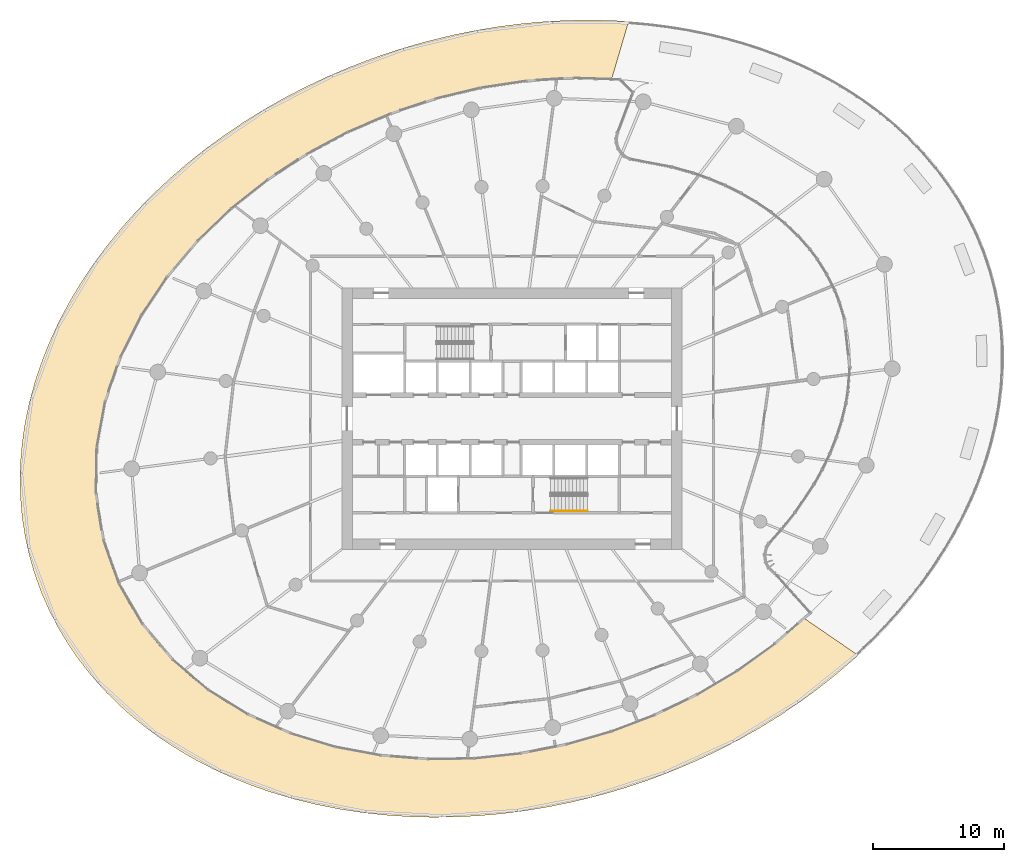
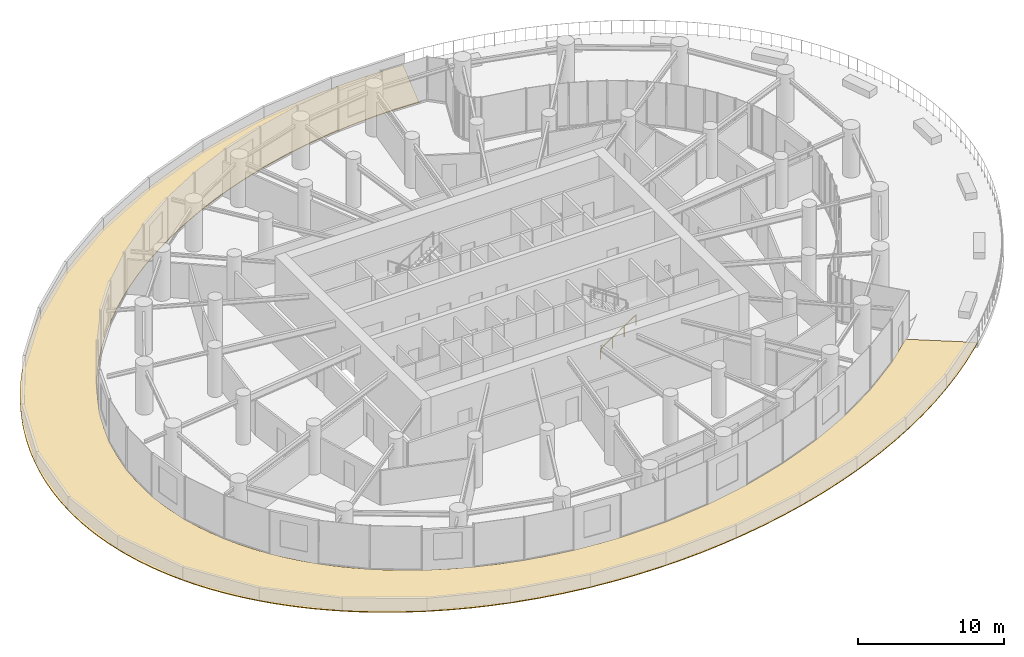
# One storey, part 20 of 24: 1 covering, 1 railing.
"""IFC4 building model written with IfcOpenShell, lengths in metres."""

from ifc_helpers import new_model, si_unit, direction, frame, origin, origin_2d, place, context, subcontext, project, spatial, line, indexed_curve, circle, outline, extrude, material, layer, layer_set, type_object, element, save


model = new_model("IFC4")

# Units and contexts
model_context = context("Model", 3, precision=1e-05, world=origin(), true_north=direction((0.0, 1.0)))
body_context = subcontext(model_context, "Body", "Model", "MODEL_VIEW")
ifc_project = project(units=[si_unit("LENGTHUNIT", "METRE"), si_unit("AREAUNIT", "SQUARE_METRE"), si_unit("VOLUMEUNIT", "CUBIC_METRE"), si_unit("PLANEANGLEUNIT", "RADIAN"), si_unit("MASSUNIT", "GRAM", prefix="KILO")], contexts=[model_context])

# Site, building, storey
site_placement = place(None, origin())
site = spatial("IfcSite", under=ifc_project, at=site_placement, CompositionType="ELEMENT")
building_placement = place(site_placement, origin())
building = spatial("IfcBuilding", under=site, at=building_placement, Name="Spindrift Exchange Tower", CompositionType="ELEMENT")
storey_placement = place(building_placement, frame((0.0, 0.0, 79.800048828125)))
storey = spatial("IfcBuildingStorey", under=building, at=storey_placement, Name="L18", CompositionType="ELEMENT", Elevation=79.800048828125)

# Covering
ifc_material_1 = material(Name="Bituminous roofing membrane with gravel ballast")
ifc_layer = layer(ifc_material_1, 0.06005859375)
ifc_layer_set = layer_set([ifc_layer], Name="LEDGE ROOFING 60")
covering_type = type_object("IfcCoveringType", Name="LEDGE ROOFING 60", PredefinedType="ROOFING", material=ifc_layer_set)
covering_placement = place(storey_placement, origin())
element("IfcCovering", 1, at=covering_placement, inside=storey, type_object=covering_type, Name="L18 Ledge Roofing 1", PredefinedType="ROOFING", context=body_context, shape_type="SweptSolid", body=[
    extrude(outline(indexed_curve([(78.0732421875, 29.583984375), (76.720703125, 28.4208984375), (75.3212890625, 27.3154296875), (73.87890625, 26.265625), (72.396484375, 25.2724609375), (70.8779296875, 24.3369140625), (69.3251953125, 23.4599609375), (67.740234375, 22.6396484375), (66.1279296875, 21.87890625), (64.4873046875, 21.1767578125), (63.380859375, 20.7412109375), (62.2646484375, 20.3330078125), (60.5712890625, 19.7705078125), (59.431640625, 19.4287109375), (58.28515625, 19.115234375), (56.5517578125, 18.6953125), (54.802734375, 18.3388671875), (53.0439453125, 18.046875), (51.2744140625, 17.8193359375), (49.498046875, 17.658203125), (47.716796875, 17.564453125), (45.93359375, 17.5400390625), (44.1494140625, 17.5859375), (42.3701171875, 17.7041015625), (40.5966796875, 17.8955078125), (38.833984375, 18.1630859375), (37.0830078125, 18.5087890625), (35.3515625, 18.93359375), (33.6416015625, 19.4404296875), (32.5146484375, 19.82421875), (31.404296875, 20.24609375), (30.8525390625, 20.4716796875), (29.765625, 20.951171875), (29.2275390625, 21.205078125), (28.1669921875, 21.7431640625), (27.64453125, 22.02734375), (26.6171875, 22.625), (25.61328125, 23.2626953125), (25.12109375, 23.5966796875), (24.1572265625, 24.294921875), (23.2255859375, 25.0322265625), (22.7724609375, 25.416015625), (21.8896484375, 26.21484375), (21.044921875, 27.05078125), (20.63671875, 27.4833984375), (19.8525390625, 28.3779296875), (19.4765625, 28.8388671875), (18.759765625, 29.7861328125), (18.0888671875, 30.76953125), (17.4697265625, 31.783203125), (17.1796875, 32.3017578125), (16.638671875, 33.36328125), (16.1552734375, 34.447265625), (15.9345703125, 35.0), (15.5361328125, 36.12109375), (15.197265625, 37.26171875), (15.05078125, 37.837890625), (14.802734375, 38.9990234375), (14.6142578125, 40.1748046875), (14.5439453125, 40.7646484375), (14.4462890625, 41.94921875), (14.4091796875, 43.138671875), (14.4130859375, 43.7333984375), (14.462890625, 44.919921875), (14.5703125, 46.10546875), (14.7333984375, 47.2822265625), (14.8349609375, 47.869140625), (15.078125, 49.033203125), (15.21875, 49.611328125), (15.5380859375, 50.7568359375), (15.71484375, 51.32421875), (16.10546875, 52.4462890625), (16.5400390625, 53.552734375), (16.7744140625, 54.099609375), (17.2744140625, 55.1796875), (17.5400390625, 55.7119140625), (18.0986328125, 56.76171875), (18.392578125, 57.2783203125), (19.0078125, 58.294921875), (19.3291015625, 58.796875), (19.9951171875, 59.78125), (21.0556640625, 61.21484375), (22.18359375, 62.5966796875), (23.3740234375, 63.9248046875), (24.6240234375, 65.1982421875), (25.9267578125, 66.416015625), (27.279296875, 67.5791015625), (28.6787109375, 68.6845703125), (30.12109375, 69.734375), (31.603515625, 70.7275390625), (33.1220703125, 71.6630859375), (34.6748046875, 72.5400390625), (36.259765625, 73.3603515625), (37.8720703125, 74.12109375), (39.5126953125, 74.8232421875), (40.619140625, 75.2587890625), (41.7353515625, 75.6669921875), (43.4287109375, 76.2294921875), (44.568359375, 76.5712890625), (45.71484375, 76.884765625), (47.4482421875, 77.3046875), (49.197265625, 77.6611328125), (50.9560546875, 77.953125), (52.7255859375, 78.1806640625), (54.501953125, 78.341796875), (56.283203125, 78.435546875), (58.0673828125, 78.4599609375), (59.8505859375, 78.4140625), (60.92578125, 78.3427734375), (60.8984375, 78.3134765625), (59.6376953125, 74.01953125), (59.6396484375, 73.9853515625), (59.677734375, 73.9560546875), (59.7744140625, 73.9482421875), (58.9599609375, 73.99609375), (57.4443359375, 74.0341796875), (56.4326171875, 74.0244140625), (54.9189453125, 73.9619140625), (53.91015625, 73.88671875), (52.40234375, 73.7265625), (51.4013671875, 73.5888671875), (49.90625, 73.3349609375), (48.421875, 73.0263671875), (46.94921875, 72.6650390625), (45.9755859375, 72.3935546875), (44.52734375, 71.9443359375), (43.0966796875, 71.443359375), (41.6845703125, 70.8916015625), (40.29296875, 70.2890625), (38.923828125, 69.63671875), (38.0244140625, 69.1748046875), (36.6982421875, 68.4404296875), (35.3994140625, 67.658203125), (34.55078125, 67.109375), (33.7158203125, 66.5400390625), (32.4912109375, 65.6455078125), (31.302734375, 64.7041015625), (30.5322265625, 64.0498046875), (29.41015625, 63.0302734375), (28.6865234375, 62.32421875), (27.638671875, 61.228515625), (26.9677734375, 60.4716796875), (26.005859375, 59.30078125), (25.39453125, 58.49609375), (24.52734375, 57.251953125), (23.984375, 56.3994140625), (23.2255859375, 55.0869140625), (22.7587890625, 54.1904296875), (22.12109375, 52.8154296875), (21.740234375, 51.87890625), (21.3955078125, 50.927734375), (21.0908203125, 49.96484375), (20.826171875, 48.9892578125), (20.7099609375, 48.4970703125), (20.5087890625, 47.5068359375), (20.3525390625, 46.5078125), (20.2421875, 45.50390625), (20.1787109375, 44.494140625), (20.1640625, 43.4833984375), (20.19921875, 42.4736328125), (20.2841796875, 41.466796875), (20.419921875, 40.46484375), (20.607421875, 39.4716796875), (20.8466796875, 38.4892578125), (21.1357421875, 37.5205078125), (21.4755859375, 36.5693359375), (21.8642578125, 35.63671875), (22.3017578125, 34.7255859375), (22.7861328125, 33.8369140625), (23.314453125, 32.9765625), (23.8857421875, 32.142578125), (24.4990234375, 31.3388671875), (25.150390625, 30.5654296875), (25.837890625, 29.8251953125), (26.5595703125, 29.1171875), (27.3125, 28.443359375), (27.701171875, 28.119140625), (28.4970703125, 27.4970703125), (29.3193359375, 26.9091796875), (29.7392578125, 26.62890625), (30.166015625, 26.3564453125), (31.033203125, 25.8388671875), (32.3720703125, 25.1259765625), (33.748046875, 24.490234375), (35.1572265625, 23.9306640625), (36.5927734375, 23.4443359375), (38.0517578125, 23.03125), (39.5283203125, 22.6875), (41.01953125, 22.4130859375), (42.5224609375, 22.2060546875), (44.03125, 22.0634765625), (45.0400390625, 22.00390625), (46.05078125, 21.9716796875), (47.56640625, 21.9755859375), (49.08203125, 22.0380859375), (50.08984375, 22.11328125), (51.095703125, 22.2138671875), (52.5986328125, 22.4111328125), (54.09375, 22.6650390625), (55.0849609375, 22.8642578125), (56.0703125, 23.087890625), (57.05078125, 23.3349609375), (58.0244140625, 23.6064453125), (59.47265625, 24.0556640625), (60.9033203125, 24.556640625), (61.84765625, 24.9189453125), (62.7822265625, 25.3037109375), (64.166015625, 25.9228515625), (65.076171875, 26.36328125), (65.974609375, 26.8251953125), (66.8623046875, 27.3095703125), (67.73828125, 27.814453125), (69.0263671875, 28.61328125), (70.2841796875, 29.4599609375), (71.5087890625, 30.3544921875), (72.3056640625, 30.9765625), (73.0849609375, 31.6201171875), (74.220703125, 32.6240234375), (75.3134765625, 33.67578125), (74.376953125, 32.76953125), (74.3681640625, 32.71875), (78.412109375, 29.943359375), (78.453125, 29.9384765625)], segments=[line(1, 2, 3, 4, 5, 6, 7, 8, 9, 10, 11, 12, 13, 14, 15, 16, 17, 18, 19, 20, 21, 22, 23, 24, 25, 26, 27, 28, 29, 30, 31, 32, 33, 34, 35, 36, 37, 38, 39, 40, 41, 42, 43, 44, 45, 46, 47, 48, 49, 50, 51, 52, 53, 54, 55, 56, 57, 58, 59, 60, 61, 62, 63, 64, 65, 66, 67, 68, 69, 70, 71, 72, 73, 74, 75, 76, 77, 78, 79, 80, 81, 82, 83, 84, 85, 86, 87, 88, 89, 90, 91, 92, 93, 94, 95, 96, 97, 98, 99, 100, 101, 102, 103, 104, 105, 106, 107, 108, 109, 110, 111, 112, 113, 114, 115, 116, 117, 118, 119, 120, 121, 122, 123, 124, 125, 126, 127, 128, 129, 130, 131, 132, 133, 134, 135, 136, 137, 138, 139, 140, 141, 142, 143, 144, 145, 146, 147, 148, 149, 150, 151, 152, 153, 154, 155, 156, 157, 158, 159, 160, 161, 162, 163, 164, 165, 166, 167, 168, 169, 170, 171, 172, 173, 174, 175, 176, 177, 178, 179, 180, 181, 182, 183, 184, 185, 186, 187, 188, 189, 190, 191, 192, 193, 194, 195, 196, 197, 198, 199, 200, 201, 202, 203, 204, 205, 206, 207, 208, 209, 210, 211, 212, 213, 214, 215, 216, 217, 218, 219, 220, 221, 222, 223, 1)], self_intersect=False)), origin(), (0.0, 0.0, 1.0), 0.06005859375),
])

# Railing
ifc_material_2 = material(Name="Steel tubular handrail", Category="steel")
railing_type = type_object("IfcRailingType", Name="RL-STAIR-HAND", PredefinedType="HANDRAIL", material=ifc_material_2)
railing_placement = place(storey_placement, frame((54.949951171875, 40.949951171875, 0.186279296875)))
element("IfcRailing", 2, at=railing_placement, inside=storey, type_object=railing_type, Name="L18 ST2 stair handrail 1", PredefinedType="HANDRAIL", context=body_context, shape_type="SweptSolid", body=[
    extrude(circle(Radius=0.02392578125, at=origin_2d()), frame((0.0, 0.0, 0.8759765625), z_axis=(0.832452072856, 0.0, 0.554097055034), x_axis=(0.0, 1.0, 0.0)), (0.0, 0.0, 1.0), 3.363525390625),
    extrude(circle(Radius=0.02099609375, at=origin_2d()), origin(), (0.0, 0.0, 1.0), 0.851806640625),
    extrude(circle(Radius=0.02099609375, at=origin_2d()), frame((0.933349609375, 0.0, 0.621337890625)), (0.0, 0.0, 1.0), 0.851806640625),
    extrude(circle(Radius=0.02099609375, at=origin_2d()), frame((1.86669921875, 0.0, 1.242431640625)), (0.0, 0.0, 1.0), 0.851806640625),
    extrude(circle(Radius=0.02099609375, at=origin_2d()), frame((2.800048828125, 0.0, 1.86376953125)), (0.0, 0.0, 1.0), 0.851806640625),
])

save(model, "model.ifc")
